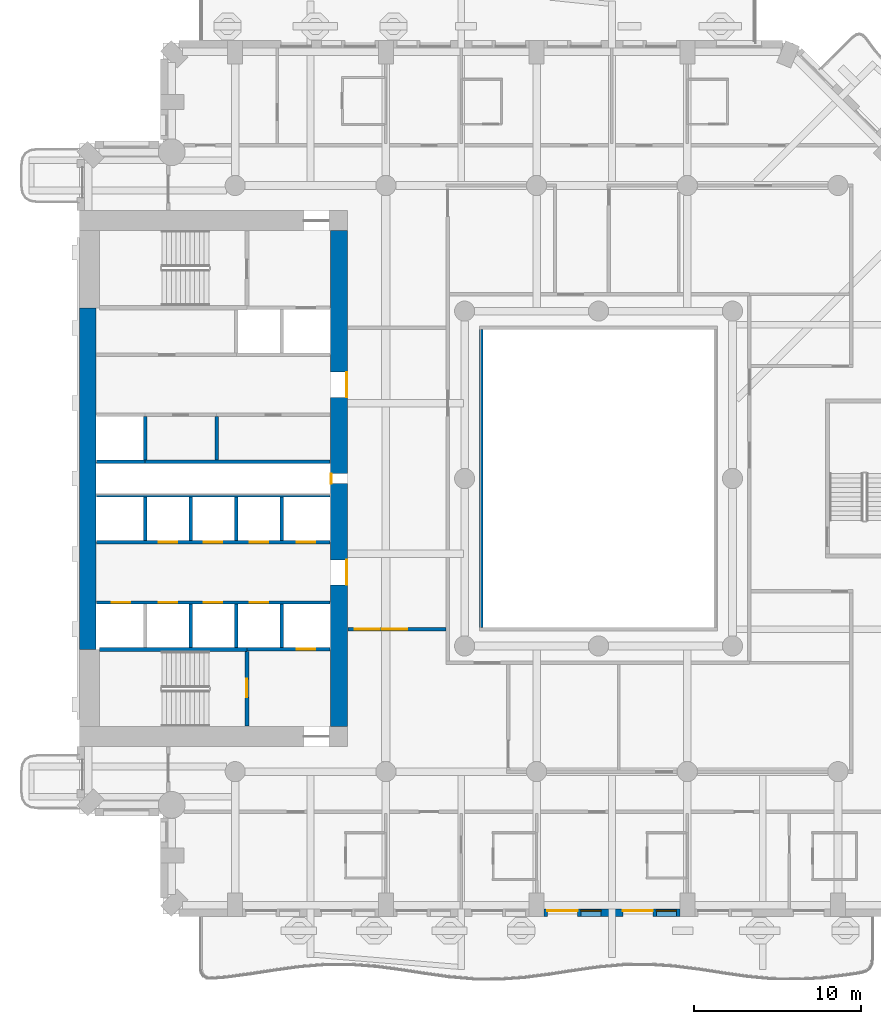
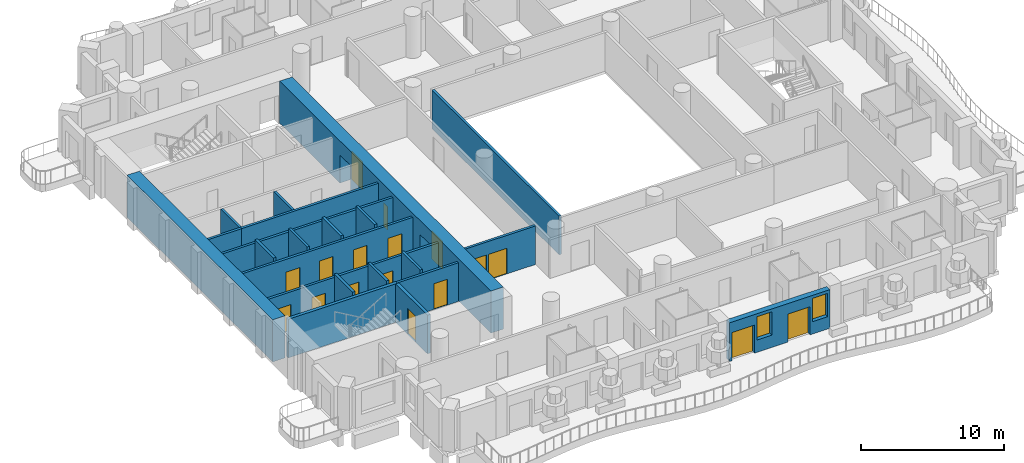
# One storey, part 4 of 19: 22 walls, 17 doors, 2 windows, 19 openings.
"""IFC4 building model written with IfcOpenShell, lengths in metres."""

from ifc_helpers import new_model, si_unit, direction, frame, frame_2d, origin, place, context, subcontext, project, spatial, rectangle, extrude, material, layer, layer_set, type_object, element, fill, save


model = new_model("IFC4")

# Units and contexts
model_context = context("Model", 3, precision=1e-05, world=origin(), true_north=direction((0.0, 1.0)))
body_context = subcontext(model_context, "Body", "Model", "MODEL_VIEW")
ifc_project = project(units=[si_unit("LENGTHUNIT", "METRE"), si_unit("AREAUNIT", "SQUARE_METRE"), si_unit("VOLUMEUNIT", "CUBIC_METRE"), si_unit("PLANEANGLEUNIT", "RADIAN"), si_unit("MASSUNIT", "GRAM", prefix="KILO")], contexts=[model_context])

# Site, building, storey
site_placement = place(None, origin())
site = spatial("IfcSite", under=ifc_project, at=site_placement, CompositionType="ELEMENT")
building_placement = place(site_placement, origin())
building = spatial("IfcBuilding", under=site, at=building_placement, Name="Cypress Arch Tower", CompositionType="ELEMENT")
storey_placement = place(building_placement, frame((0.0, 0.0, 98.699951171875)))
storey = spatial("IfcBuildingStorey", under=building, at=storey_placement, Name="L19", CompositionType="ELEMENT", Elevation=98.699951171875)

# Wall, openings, doors, windows
ifc_material_1 = material(Name="Brick (red buff blend)", Category="masonry")
ifc_layer_1 = layer(ifc_material_1, 0.449951171875)
ifc_layer_set_1 = layer_set([ifc_layer_1], Name="Brick pier and spandrel wall BW450")
wall_type_1 = type_object("IfcWallType", Name="Brick pier and spandrel wall BW450", PredefinedType="SOLIDWALL", material=ifc_layer_set_1)
wall_1_placement = place(storey_placement, frame((-2.25, -25.925048828125, 0.0), z_axis=(0.0, 0.0, 1.0), x_axis=(1.0, 0.0, 0.0)))
wall_1 = element("IfcWall", 1, at=wall_1_placement, inside=storey, type_object=wall_type_1, Name="Brick wall L19 A03.3", PredefinedType="SOLIDWALL", context=body_context, shape_type="SweptSolid", body=[
    extrude(rectangle(XDim=8.10009765625, YDim=0.449951171875, at=frame_2d((4.050048828125, 0.0))), origin(), (0.0, 0.0, 1.0), 3.300048828125),
])
opening_1_placement = place(wall_1_placement, frame((0.199951171875, 0.0, 0.0)))
opening_1 = element("IfcOpeningElement", 2, at=opening_1_placement, cuts=wall_1, Name="Opening D-L19-A03.3.1", PredefinedType="OPENING", context=body_context, shape_type="SweptSolid", body=[
    extrude(rectangle(XDim=1.800048828125, YDim=2.39990234375, at=frame_2d((0.89990234375, 1.199951171875))), frame((0.0, 0.23486328125, 0.0), z_axis=(0.0, -1.0, 0.0), x_axis=(1.0, 0.0, 0.0)), (0.0, 0.0, 1.0), 0.469970703125),
])
opening_2_placement = place(wall_1_placement, frame((2.199951171875, 0.0, 1.050048828125)))
opening_2 = element("IfcOpeningElement", 3, at=opening_2_placement, cuts=wall_1, Name="Opening W120HD", PredefinedType="OPENING", context=body_context, shape_type="SweptSolid", body=[
    extrude(rectangle(XDim=1.199951171875, YDim=2.0, at=frame_2d((0.60009765625, 1.0))), frame((0.0, 0.23486328125, 0.0), z_axis=(0.0, -1.0, 0.0), x_axis=(1.0, 0.0, 0.0)), (0.0, 0.0, 1.0), 0.469970703125),
])
opening_3_placement = place(wall_1_placement, frame((4.699951171875, 0.0, 0.0)))
opening_3 = element("IfcOpeningElement", 4, at=opening_3_placement, cuts=wall_1, Name="Opening D-L19-A03.3.2", PredefinedType="OPENING", context=body_context, shape_type="SweptSolid", body=[
    extrude(rectangle(XDim=1.800048828125, YDim=2.39990234375, at=frame_2d((0.89990234375, 1.199951171875))), frame((0.0, 0.23486328125, 0.0), z_axis=(0.0, -1.0, 0.0), x_axis=(1.0, 0.0, 0.0)), (0.0, 0.0, 1.0), 0.469970703125),
])
opening_4_placement = place(wall_1_placement, frame((6.699951171875, 0.0, 1.050048828125)))
opening_4 = element("IfcOpeningElement", 5, at=opening_4_placement, cuts=wall_1, Name="Opening W120HD", PredefinedType="OPENING", context=body_context, shape_type="SweptSolid", body=[
    extrude(rectangle(XDim=1.199951171875, YDim=2.0, at=frame_2d((0.60009765625, 1.0))), frame((0.0, 0.23486328125, 0.0), z_axis=(0.0, -1.0, 0.0), x_axis=(1.0, 0.0, 0.0)), (0.0, 0.0, 1.0), 0.469970703125),
])
ifc_material_2 = material(Name="Anodised aluminium, bronze finish, laminated low-emissivity double glazing, large-missile impact rated", Category="aluminium")
door_type_1 = type_object("IfcDoorType", Name="Balcony sliding door 1800x2400", OperationType="SLIDING_TO_LEFT", PredefinedType="DOOR", material=ifc_material_2)
door_1_placement = place(opening_1_placement, origin())
door_1 = element("IfcDoor", 6, at=door_1_placement, inside=storey, type_object=door_type_1, Name="Balcony door L19 A03.3.1", OperationType="SLIDING_TO_LEFT", OverallHeight=2.39990234375, OverallWidth=1.800048828125, PredefinedType="DOOR", context=body_context, shape_type="SweptSolid", body=[
    extrude(rectangle(XDim=1.800048828125, YDim=2.39990234375, at=frame_2d((0.89990234375, 1.199951171875))), frame((0.0, 0.1298828125, 0.0), z_axis=(0.0, -1.0, 0.0), x_axis=(1.0, 0.0, 0.0)), (0.0, 0.0, 1.0), 0.050048828125),
])
fill(opening_1, door_1)
door_2_placement = place(opening_3_placement, origin())
door_2 = element("IfcDoor", 7, at=door_2_placement, inside=storey, type_object=door_type_1, Name="Balcony door L19 A03.3.2", OperationType="SLIDING_TO_LEFT", OverallHeight=2.39990234375, OverallWidth=1.800048828125, PredefinedType="DOOR", context=body_context, shape_type="SweptSolid", body=[
    extrude(rectangle(XDim=1.800048828125, YDim=2.39990234375, at=frame_2d((0.89990234375, 1.199951171875))), frame((0.0, 0.1298828125, 0.0), z_axis=(0.0, -1.0, 0.0), x_axis=(1.0, 0.0, 0.0)), (0.0, 0.0, 1.0), 0.050048828125),
])
fill(opening_3, door_2)
ifc_material_3 = material(Name="Anodised aluminium, bronze finish, laminated low-emissivity double glazing, large-missile impact rated", Category="aluminium")
window_type = type_object("IfcWindowType", Name="Window Hotel 1200x2000 debris-rated", PartitioningType="SINGLE_PANEL", PredefinedType="WINDOW", material=ifc_material_3)
window_1_placement = place(opening_2_placement, origin())
window_1 = element("IfcWindow", 8, at=window_1_placement, inside=storey, type_object=window_type, Name="Window L19 A03.3.1", OverallHeight=2.0, OverallWidth=1.199951171875, PartitioningType="SINGLE_PANEL", PredefinedType="WINDOW", context=body_context, shape_type="SweptSolid", body=[
    extrude(rectangle(XDim=1.199951171875, YDim=2.0, at=frame_2d((0.60009765625, 1.0))), frame((0.0, 0.135009765625, 0.0), z_axis=(0.0, -1.0, 0.0), x_axis=(1.0, 0.0, 0.0)), (0.0, 0.0, 1.0), 0.06005859375),
])
fill(opening_2, window_1)
window_2_placement = place(opening_4_placement, origin())
window_2 = element("IfcWindow", 9, at=window_2_placement, inside=storey, type_object=window_type, Name="Window L19 A03.3.2", OverallHeight=2.0, OverallWidth=1.199951171875, PartitioningType="SINGLE_PANEL", PredefinedType="WINDOW", context=body_context, shape_type="SweptSolid", body=[
    extrude(rectangle(XDim=1.199951171875, YDim=2.0, at=frame_2d((0.60009765625, 1.0))), frame((0.0, 0.135009765625, 0.0), z_axis=(0.0, -1.0, 0.0), x_axis=(1.0, 0.0, 0.0)), (0.0, 0.0, 1.0), 0.06005859375),
])
fill(opening_4, window_2)

# Wall, openings, doors
ifc_material_4 = material(Name="Concrete C80/95", Category="concrete")
ifc_layer_2 = layer(ifc_material_4, 1.0)
ifc_layer_set_2 = layer_set([ifc_layer_2], Name="Core wall CW1000 C80/95")
wall_type_2 = type_object("IfcWallType", Name="Core wall CW1000 C80/95", PredefinedType="SHEAR", material=ifc_layer_set_2)
wall_2_placement = place(storey_placement, frame((-14.5, -14.800048828125, 0.0), z_axis=(0.0, 0.0, 1.0), x_axis=(0.0, 1.0, 0.0)))
wall_2 = element("IfcWall", 10, at=wall_2_placement, inside=storey, type_object=wall_type_2, Name="Core wall", PredefinedType="SHEAR", context=body_context, shape_type="SweptSolid", body=[
    extrude(rectangle(XDim=29.60009765625, YDim=1.0, at=frame_2d((14.800048828125, 0.0))), origin(), (0.0, 0.0, 1.0), 3.60009765625),
])
opening_5_placement = place(wall_2_placement, frame((8.449951171875, 0.0, 0.0)))
opening_5 = element("IfcOpeningElement", 11, at=opening_5_placement, cuts=wall_2, Name="Opening D07", PredefinedType="OPENING", context=body_context, shape_type="SweptSolid", body=[
    extrude(rectangle(XDim=1.5, YDim=2.39990234375, at=frame_2d((0.75, 1.199951171875))), frame((0.0, 0.510009765625, 0.0), z_axis=(0.0, -1.0, 0.0), x_axis=(1.0, 0.0, 0.0)), (0.0, 0.0, 1.0), 1.02001953125),
])
opening_6_placement = place(wall_2_placement, frame((19.64990234375, 0.0, 0.0)))
opening_6 = element("IfcOpeningElement", 12, at=opening_6_placement, cuts=wall_2, Name="Opening D07", PredefinedType="OPENING", context=body_context, shape_type="SweptSolid", body=[
    extrude(rectangle(XDim=1.5, YDim=2.39990234375, at=frame_2d((0.75, 1.199951171875))), frame((0.0, 0.510009765625, 0.0), z_axis=(0.0, -1.0, 0.0), x_axis=(1.0, 0.0, 0.0)), (0.0, 0.0, 1.0), 1.02001953125),
])
opening_7_placement = place(wall_2_placement, frame((14.5, 0.0, 0.0)))
opening_7 = element("IfcOpeningElement", 13, at=opening_7_placement, cuts=wall_2, Name="Opening D08", PredefinedType="OPENING", context=body_context, shape_type="SweptSolid", body=[
    extrude(rectangle(XDim=0.60009765625, YDim=2.0, at=frame_2d((0.300048828125, 1.0))), frame((0.0, 0.510009765625, 0.0), z_axis=(0.0, -1.0, 0.0), x_axis=(1.0, 0.0, 0.0)), (0.0, 0.0, 1.0), 1.02001953125),
])
ifc_material_5 = material(Name="Steel framed glazed door, fire resisting", Category="steel")
door_type_2 = type_object("IfcDoorType", Name="Lobby door D07 1500x2400", OperationType="DOUBLE_DOOR_SINGLE_SWING", PredefinedType="DOOR", material=ifc_material_5)
door_3_placement = place(opening_5_placement, origin())
door_3 = element("IfcDoor", 14, at=door_3_placement, inside=storey, type_object=door_type_2, Name="Lobby door", OperationType="DOUBLE_DOOR_SINGLE_SWING", OverallHeight=2.39990234375, OverallWidth=1.5, PredefinedType="DOOR", context=body_context, shape_type="SweptSolid", body=[
    extrude(rectangle(XDim=1.5, YDim=2.39990234375, at=frame_2d((0.75, 1.199951171875))), frame((0.0, -0.44482421875, 0.0), z_axis=(0.0, -1.0, 0.0), x_axis=(1.0, 0.0, 0.0)), (0.0, 0.0, 1.0), 0.050048828125),
])
fill(opening_5, door_3)
door_4_placement = place(opening_6_placement, origin())
door_4 = element("IfcDoor", 15, at=door_4_placement, inside=storey, type_object=door_type_2, Name="Lobby door", OperationType="DOUBLE_DOOR_SINGLE_SWING", OverallHeight=2.39990234375, OverallWidth=1.5, PredefinedType="DOOR", context=body_context, shape_type="SweptSolid", body=[
    extrude(rectangle(XDim=1.5, YDim=2.39990234375, at=frame_2d((0.75, 1.199951171875))), frame((0.0, -0.44482421875, 0.0), z_axis=(0.0, -1.0, 0.0), x_axis=(1.0, 0.0, 0.0)), (0.0, 0.0, 1.0), 0.050048828125),
])
fill(opening_6, door_4)
ifc_material_6 = material(Name="Steel access door, fire resisting", Category="steel")
door_type_3 = type_object("IfcDoorType", Name="Riser access door D08 600x2000", OperationType="SINGLE_SWING_LEFT", PredefinedType="DOOR", material=ifc_material_6)
door_5_placement = place(opening_7_placement, origin())
door_5 = element("IfcDoor", 16, at=door_5_placement, inside=storey, type_object=door_type_3, Name="Riser access door", OperationType="SINGLE_SWING_RIGHT", OverallHeight=2.0, OverallWidth=0.60009765625, PredefinedType="DOOR", context=body_context, shape_type="SweptSolid", body=[
    extrude(rectangle(XDim=0.60009765625, YDim=2.0, at=frame_2d((0.300048828125, 1.0))), frame((0.0, 0.4951171875, 0.0), z_axis=(0.0, -1.0, 0.0), x_axis=(1.0, 0.0, 0.0)), (0.0, 0.0, 1.0), 0.050048828125),
])
fill(opening_7, door_5)

# Wall
wall_3_placement = place(storey_placement, frame((-29.5, -10.199951171875, 0.0), z_axis=(0.0, 0.0, 1.0), x_axis=(0.0, 1.0, 0.0)))
element("IfcWall", 17, at=wall_3_placement, inside=storey, type_object=wall_type_2, Name="Core wall", PredefinedType="SHEAR", context=body_context, shape_type="SweptSolid", body=[
    extrude(rectangle(XDim=20.39990234375, YDim=1.0, at=frame_2d((10.199951171875, 0.0))), origin(), (0.0, 0.0, 1.0), 3.60009765625),
])

# Wall, openings, doors
ifc_material_7 = material(Name="Concrete blockwork, plastered, rated", Category="masonry")
ifc_layer_3 = layer(ifc_material_7, 0.199951171875)
ifc_layer_set_3 = layer_set([ifc_layer_3], Name="Corridor wall FW200")
wall_type_3 = type_object("IfcWallType", Name="Corridor wall FW200", PredefinedType="PARTITIONING", material=ifc_layer_set_3)
wall_4_placement = place(storey_placement, frame((-13.969970703125, -9.0, 0.0), z_axis=(0.0, 0.0, 1.0), x_axis=(1.0, 0.0, 0.0)))
wall_4 = element("IfcWall", 18, at=wall_4_placement, inside=storey, type_object=wall_type_3, Name="Corridor wall", PredefinedType="PARTITIONING", context=body_context, shape_type="SweptSolid", body=[
    extrude(rectangle(XDim=5.869873046875, YDim=0.199951171875, at=frame_2d((2.93505859375, 0.0))), origin(), (0.0, 0.0, 1.0), 3.300048828125),
])
opening_8_placement = place(wall_4_placement, frame((0.39990234375, 0.0, 0.0)))
opening_8 = element("IfcOpeningElement", 19, at=opening_8_placement, cuts=wall_4, Name="Opening D04", PredefinedType="OPENING", context=body_context, shape_type="SweptSolid", body=[
    extrude(rectangle(XDim=1.5, YDim=2.199951171875, at=frame_2d((0.75, 1.10009765625))), frame((0.0, 0.10986328125, 0.0), z_axis=(0.0, -1.0, 0.0), x_axis=(1.0, 0.0, 0.0)), (0.0, 0.0, 1.0), 0.219970703125),
])
opening_9_placement = place(wall_4_placement, frame((2.050048828125, 0.0, 0.0)))
opening_9 = element("IfcOpeningElement", 20, at=opening_9_placement, cuts=wall_4, Name="Opening D04", PredefinedType="OPENING", context=body_context, shape_type="SweptSolid", body=[
    extrude(rectangle(XDim=1.5, YDim=2.199951171875, at=frame_2d((0.75, 1.10009765625))), frame((0.0, 0.10986328125, 0.0), z_axis=(0.0, -1.0, 0.0), x_axis=(1.0, 0.0, 0.0)), (0.0, 0.0, 1.0), 0.219970703125),
])
ifc_material_8 = material(Name="Timber double door", Category="wood")
door_type_4 = type_object("IfcDoorType", Name="Double door D04 1500x2200", OperationType="DOUBLE_DOOR_SINGLE_SWING", PredefinedType="DOOR", material=ifc_material_8)
door_6_placement = place(opening_8_placement, origin())
door_6 = element("IfcDoor", 21, at=door_6_placement, inside=storey, type_object=door_type_4, Name="Double door", OperationType="DOUBLE_DOOR_SINGLE_SWING", OverallHeight=2.199951171875, OverallWidth=1.5, PredefinedType="DOOR", context=body_context, shape_type="SweptSolid", body=[
    extrude(rectangle(XDim=1.5, YDim=2.199951171875, at=frame_2d((0.75, 1.10009765625))), frame((0.0, 0.02490234375, 0.0), z_axis=(0.0, -1.0, 0.0), x_axis=(1.0, 0.0, 0.0)), (0.0, 0.0, 1.0), 0.050048828125),
])
fill(opening_8, door_6)
door_7_placement = place(opening_9_placement, origin())
door_7 = element("IfcDoor", 22, at=door_7_placement, inside=storey, type_object=door_type_4, Name="Double door", OperationType="DOUBLE_DOOR_SINGLE_SWING", OverallHeight=2.199951171875, OverallWidth=1.5, PredefinedType="DOOR", context=body_context, shape_type="SweptSolid", body=[
    extrude(rectangle(XDim=1.5, YDim=2.199951171875, at=frame_2d((0.75, 1.10009765625))), frame((0.0, 0.02490234375, 0.0), z_axis=(0.0, -1.0, 0.0), x_axis=(1.0, 0.0, 0.0)), (0.0, 0.0, 1.0), 0.050048828125),
])
fill(opening_9, door_7)

# Walls
wall_5_placement = place(storey_placement, frame((-6.0, -8.89990234375, 0.0), z_axis=(0.0, 0.0, 1.0), x_axis=(0.0, 1.0, 0.0)))
element("IfcWall", 23, at=wall_5_placement, inside=storey, type_object=wall_type_3, Name="Corridor wall", PredefinedType="PARTITIONING", context=body_context, shape_type="SweptSolid", body=[
    extrude(rectangle(XDim=17.7998046875, YDim=0.199951171875, at=frame_2d((8.89990234375, 0.0))), origin(), (0.0, 0.0, 1.0), 3.300048828125),
])
ifc_material_9 = material(Name="Reinforced blockwork, plastered, rated", Category="masonry")
ifc_layer_4 = layer(ifc_material_9, 0.199951171875)
ifc_layer_set_4 = layer_set([ifc_layer_4], Name="Plant and riser wall PL200")
wall_type_4 = type_object("IfcWallType", Name="Plant and riser wall PL200", PredefinedType="PARTITIONING", material=ifc_layer_set_4)
wall_6_placement = place(storey_placement, frame((-26.10009765625, 1.0, 0.0), z_axis=(0.0, 0.0, 1.0), x_axis=(1.0, 0.0, 0.0)))
element("IfcWall", 24, at=wall_6_placement, inside=storey, type_object=wall_type_4, Name="Plant and riser wall", PredefinedType="PARTITIONING", context=body_context, shape_type="SweptSolid", body=[
    extrude(rectangle(XDim=11.070068359375, YDim=0.199951171875, at=frame_2d((5.53515625, 0.0))), origin(), (0.0, 0.0, 1.0), 3.300048828125),
])
wall_7_placement = place(storey_placement, frame((-21.800048828125, 1.10009765625, 0.0), z_axis=(0.0, 0.0, 1.0), x_axis=(0.0, 1.0, 0.0)))
element("IfcWall", 25, at=wall_7_placement, inside=storey, type_object=wall_type_4, Name="Plant and riser wall", PredefinedType="PARTITIONING", context=body_context, shape_type="SweptSolid", body=[
    extrude(rectangle(XDim=2.599853515625, YDim=0.199951171875, at=frame_2d((1.2998046875, 0.0))), origin(), (0.0, 0.0, 1.0), 3.300048828125),
])

# Wall, openings, doors
ifc_material_10 = material(Name="Concrete C50/60", Category="concrete")
ifc_layer_5 = layer(ifc_material_10, 0.199951171875)
ifc_layer_set_5 = layer_set([ifc_layer_5], Name="Shaft wall SH200")
wall_type_5 = type_object("IfcWallType", Name="Shaft wall SH200", PredefinedType="SHEAR", material=ifc_layer_set_5)
wall_8_placement = place(storey_placement, frame((-28.969970703125, -7.39990234375, 0.0), z_axis=(0.0, 0.0, 1.0), x_axis=(1.0, 0.0, 0.0)))
wall_8 = element("IfcWall", 26, at=wall_8_placement, inside=storey, type_object=wall_type_5, Name="Shaft wall", PredefinedType="SHEAR", context=body_context, shape_type="SweptSolid", body=[
    extrude(rectangle(XDim=13.93994140625, YDim=0.199951171875, at=frame_2d((6.969970703125, 0.0))), origin(), (0.0, 0.0, 1.0), 3.300048828125),
])
opening_10_placement = place(wall_8_placement, frame((0.89990234375, 0.0, 0.0)))
opening_10 = element("IfcOpeningElement", 27, at=opening_10_placement, cuts=wall_8, Name="Opening LD-LR1", PredefinedType="OPENING", context=body_context, shape_type="SweptSolid", body=[
    extrude(rectangle(XDim=1.10009765625, YDim=2.199951171875, at=frame_2d((0.550048828125, 1.10009765625))), frame((0.0, 0.10986328125, 0.0), z_axis=(0.0, -1.0, 0.0), x_axis=(1.0, 0.0, 0.0)), (0.0, 0.0, 1.0), 0.219970703125),
])
opening_11_placement = place(wall_8_placement, frame((3.699951171875, 0.0, 0.0)))
opening_11 = element("IfcOpeningElement", 28, at=opening_11_placement, cuts=wall_8, Name="Opening LD-LR2", PredefinedType="OPENING", context=body_context, shape_type="SweptSolid", body=[
    extrude(rectangle(XDim=1.10009765625, YDim=2.199951171875, at=frame_2d((0.550048828125, 1.10009765625))), frame((0.0, 0.10986328125, 0.0), z_axis=(0.0, -1.0, 0.0), x_axis=(1.0, 0.0, 0.0)), (0.0, 0.0, 1.0), 0.219970703125),
])
opening_12_placement = place(wall_8_placement, frame((6.39990234375, 0.0, 0.0)))
opening_12 = element("IfcOpeningElement", 29, at=opening_12_placement, cuts=wall_8, Name="Opening LD-LR3", PredefinedType="OPENING", context=body_context, shape_type="SweptSolid", body=[
    extrude(rectangle(XDim=1.10009765625, YDim=2.199951171875, at=frame_2d((0.550048828125, 1.10009765625))), frame((0.0, 0.10986328125, 0.0), z_axis=(0.0, -1.0, 0.0), x_axis=(1.0, 0.0, 0.0)), (0.0, 0.0, 1.0), 0.219970703125),
])
opening_13_placement = place(wall_8_placement, frame((9.14990234375, 0.0, 0.0)))
opening_13 = element("IfcOpeningElement", 30, at=opening_13_placement, cuts=wall_8, Name="Opening LD-LR4", PredefinedType="OPENING", context=body_context, shape_type="SweptSolid", body=[
    extrude(rectangle(XDim=1.10009765625, YDim=2.199951171875, at=frame_2d((0.550048828125, 1.10009765625))), frame((0.0, 0.10986328125, 0.0), z_axis=(0.0, -1.0, 0.0), x_axis=(1.0, 0.0, 0.0)), (0.0, 0.0, 1.0), 0.219970703125),
])
ifc_material_11 = material(Name="Stainless steel centre-opening landing door, rated", Category="steel")
door_type_5 = type_object("IfcDoorType", Name="Lift landing door LD 1100x2200", OperationType="DOUBLE_DOOR_SLIDING", PredefinedType="DOOR", material=ifc_material_11)
door_8_placement = place(opening_10_placement, origin())
door_8 = element("IfcDoor", 31, at=door_8_placement, inside=storey, type_object=door_type_5, Name="Lift landing doors LR1", OperationType="DOUBLE_DOOR_SLIDING", OverallHeight=2.199951171875, OverallWidth=1.10009765625, PredefinedType="DOOR", context=body_context, shape_type="SweptSolid", body=[
    extrude(rectangle(XDim=1.10009765625, YDim=2.199951171875, at=frame_2d((0.550048828125, 1.10009765625))), frame((0.0, 0.02490234375, 0.0), z_axis=(0.0, -1.0, 0.0), x_axis=(1.0, 0.0, 0.0)), (0.0, 0.0, 1.0), 0.050048828125),
])
fill(opening_10, door_8)
door_9_placement = place(opening_11_placement, origin())
door_9 = element("IfcDoor", 32, at=door_9_placement, inside=storey, type_object=door_type_5, Name="Lift landing doors LR2", OperationType="DOUBLE_DOOR_SLIDING", OverallHeight=2.199951171875, OverallWidth=1.10009765625, PredefinedType="DOOR", context=body_context, shape_type="SweptSolid", body=[
    extrude(rectangle(XDim=1.10009765625, YDim=2.199951171875, at=frame_2d((0.550048828125, 1.10009765625))), frame((0.0, 0.02490234375, 0.0), z_axis=(0.0, -1.0, 0.0), x_axis=(1.0, 0.0, 0.0)), (0.0, 0.0, 1.0), 0.050048828125),
])
fill(opening_11, door_9)
door_10_placement = place(opening_12_placement, origin())
door_10 = element("IfcDoor", 33, at=door_10_placement, inside=storey, type_object=door_type_5, Name="Lift landing doors LR3", OperationType="DOUBLE_DOOR_SLIDING", OverallHeight=2.199951171875, OverallWidth=1.10009765625, PredefinedType="DOOR", context=body_context, shape_type="SweptSolid", body=[
    extrude(rectangle(XDim=1.10009765625, YDim=2.199951171875, at=frame_2d((0.550048828125, 1.10009765625))), frame((0.0, 0.02490234375, 0.0), z_axis=(0.0, -1.0, 0.0), x_axis=(1.0, 0.0, 0.0)), (0.0, 0.0, 1.0), 0.050048828125),
])
fill(opening_12, door_10)
door_11_placement = place(opening_13_placement, origin())
door_11 = element("IfcDoor", 34, at=door_11_placement, inside=storey, type_object=door_type_5, Name="Lift landing doors LR4", OperationType="DOUBLE_DOOR_SLIDING", OverallHeight=2.199951171875, OverallWidth=1.10009765625, PredefinedType="DOOR", context=body_context, shape_type="SweptSolid", body=[
    extrude(rectangle(XDim=1.10009765625, YDim=2.199951171875, at=frame_2d((0.550048828125, 1.10009765625))), frame((0.0, 0.02490234375, 0.0), z_axis=(0.0, -1.0, 0.0), x_axis=(1.0, 0.0, 0.0)), (0.0, 0.0, 1.0), 0.050048828125),
])
fill(opening_13, door_11)

wall_9_placement = place(storey_placement, frame((-28.969970703125, -3.800048828125, 0.0), z_axis=(0.0, 0.0, 1.0), x_axis=(1.0, 0.0, 0.0)))
wall_9 = element("IfcWall", 35, at=wall_9_placement, inside=storey, type_object=wall_type_5, Name="Shaft wall", PredefinedType="SHEAR", context=body_context, shape_type="SweptSolid", body=[
    extrude(rectangle(XDim=13.93994140625, YDim=0.199951171875, at=frame_2d((6.969970703125, 0.0))), origin(), (0.0, 0.0, 1.0), 3.300048828125),
])
opening_14_placement = place(wall_9_placement, frame((3.699951171875, 0.0, 0.0)))
opening_14 = element("IfcOpeningElement", 36, at=opening_14_placement, cuts=wall_9, Name="Opening LD-LR5", PredefinedType="OPENING", context=body_context, shape_type="SweptSolid", body=[
    extrude(rectangle(XDim=1.10009765625, YDim=2.199951171875, at=frame_2d((0.550048828125, 1.10009765625))), frame((0.0, 0.10986328125, 0.0), z_axis=(0.0, -1.0, 0.0), x_axis=(1.0, 0.0, 0.0)), (0.0, 0.0, 1.0), 0.219970703125),
])
opening_15_placement = place(wall_9_placement, frame((6.39990234375, 0.0, 0.0)))
opening_15 = element("IfcOpeningElement", 37, at=opening_15_placement, cuts=wall_9, Name="Opening LD-LR6", PredefinedType="OPENING", context=body_context, shape_type="SweptSolid", body=[
    extrude(rectangle(XDim=1.10009765625, YDim=2.199951171875, at=frame_2d((0.550048828125, 1.10009765625))), frame((0.0, 0.10986328125, 0.0), z_axis=(0.0, -1.0, 0.0), x_axis=(1.0, 0.0, 0.0)), (0.0, 0.0, 1.0), 0.219970703125),
])
opening_16_placement = place(wall_9_placement, frame((9.14990234375, 0.0, 0.0)))
opening_16 = element("IfcOpeningElement", 38, at=opening_16_placement, cuts=wall_9, Name="Opening LD-LR7", PredefinedType="OPENING", context=body_context, shape_type="SweptSolid", body=[
    extrude(rectangle(XDim=1.10009765625, YDim=2.199951171875, at=frame_2d((0.550048828125, 1.10009765625))), frame((0.0, 0.10986328125, 0.0), z_axis=(0.0, -1.0, 0.0), x_axis=(1.0, 0.0, 0.0)), (0.0, 0.0, 1.0), 0.219970703125),
])
opening_17_placement = place(wall_9_placement, frame((11.949951171875, 0.0, 0.0)))
opening_17 = element("IfcOpeningElement", 39, at=opening_17_placement, cuts=wall_9, Name="Opening LD-LR8", PredefinedType="OPENING", context=body_context, shape_type="SweptSolid", body=[
    extrude(rectangle(XDim=1.10009765625, YDim=2.199951171875, at=frame_2d((0.550048828125, 1.10009765625))), frame((0.0, 0.10986328125, 0.0), z_axis=(0.0, -1.0, 0.0), x_axis=(1.0, 0.0, 0.0)), (0.0, 0.0, 1.0), 0.219970703125),
])
door_12_placement = place(opening_14_placement, origin())
door_12 = element("IfcDoor", 40, at=door_12_placement, inside=storey, type_object=door_type_5, Name="Lift landing doors LR5", OperationType="DOUBLE_DOOR_SLIDING", OverallHeight=2.199951171875, OverallWidth=1.10009765625, PredefinedType="DOOR", context=body_context, shape_type="SweptSolid", body=[
    extrude(rectangle(XDim=1.10009765625, YDim=2.199951171875, at=frame_2d((0.550048828125, 1.10009765625))), frame((0.0, 0.02490234375, 0.0), z_axis=(0.0, -1.0, 0.0), x_axis=(1.0, 0.0, 0.0)), (0.0, 0.0, 1.0), 0.050048828125),
])
fill(opening_14, door_12)
door_13_placement = place(opening_15_placement, origin())
door_13 = element("IfcDoor", 41, at=door_13_placement, inside=storey, type_object=door_type_5, Name="Lift landing doors LR6", OperationType="DOUBLE_DOOR_SLIDING", OverallHeight=2.199951171875, OverallWidth=1.10009765625, PredefinedType="DOOR", context=body_context, shape_type="SweptSolid", body=[
    extrude(rectangle(XDim=1.10009765625, YDim=2.199951171875, at=frame_2d((0.550048828125, 1.10009765625))), frame((0.0, 0.02490234375, 0.0), z_axis=(0.0, -1.0, 0.0), x_axis=(1.0, 0.0, 0.0)), (0.0, 0.0, 1.0), 0.050048828125),
])
fill(opening_15, door_13)
door_14_placement = place(opening_16_placement, origin())
door_14 = element("IfcDoor", 42, at=door_14_placement, inside=storey, type_object=door_type_5, Name="Lift landing doors LR7", OperationType="DOUBLE_DOOR_SLIDING", OverallHeight=2.199951171875, OverallWidth=1.10009765625, PredefinedType="DOOR", context=body_context, shape_type="SweptSolid", body=[
    extrude(rectangle(XDim=1.10009765625, YDim=2.199951171875, at=frame_2d((0.550048828125, 1.10009765625))), frame((0.0, 0.02490234375, 0.0), z_axis=(0.0, -1.0, 0.0), x_axis=(1.0, 0.0, 0.0)), (0.0, 0.0, 1.0), 0.050048828125),
])
fill(opening_16, door_14)
door_15_placement = place(opening_17_placement, origin())
door_15 = element("IfcDoor", 43, at=door_15_placement, inside=storey, type_object=door_type_5, Name="Lift landing doors LR8", OperationType="DOUBLE_DOOR_SLIDING", OverallHeight=2.199951171875, OverallWidth=1.10009765625, PredefinedType="DOOR", context=body_context, shape_type="SweptSolid", body=[
    extrude(rectangle(XDim=1.10009765625, YDim=2.199951171875, at=frame_2d((0.550048828125, 1.10009765625))), frame((0.0, 0.02490234375, 0.0), z_axis=(0.0, -1.0, 0.0), x_axis=(1.0, 0.0, 0.0)), (0.0, 0.0, 1.0), 0.050048828125),
])
fill(opening_17, door_15)

# Walls
wall_10_placement = place(storey_placement, frame((-28.969970703125, -1.0, 0.0), z_axis=(0.0, 0.0, 1.0), x_axis=(1.0, 0.0, 0.0)))
element("IfcWall", 44, at=wall_10_placement, inside=storey, type_object=wall_type_5, Name="Shaft wall", PredefinedType="SHEAR", context=body_context, shape_type="SweptSolid", body=[
    extrude(rectangle(XDim=13.93994140625, YDim=0.199951171875, at=frame_2d((6.969970703125, 0.0))), origin(), (0.0, 0.0, 1.0), 3.300048828125),
])
wall_11_placement = place(storey_placement, frame((-28.969970703125, 1.0, 0.0), z_axis=(0.0, 0.0, 1.0), x_axis=(1.0, 0.0, 0.0)))
element("IfcWall", 45, at=wall_11_placement, inside=storey, type_object=wall_type_5, Name="Shaft wall", PredefinedType="SHEAR", context=body_context, shape_type="SweptSolid", body=[
    extrude(rectangle(XDim=2.869873046875, YDim=0.199951171875, at=frame_2d((1.43505859375, 0.0))), origin(), (0.0, 0.0, 1.0), 3.300048828125),
])
wall_12_placement = place(storey_placement, frame((-26.080078125, -3.699951171875, 0.0), z_axis=(0.0, 0.0, 1.0), x_axis=(0.0, 1.0, 0.0)))
element("IfcWall", 46, at=wall_12_placement, inside=storey, type_object=wall_type_5, Name="Shaft wall", PredefinedType="SHEAR", context=body_context, shape_type="SweptSolid", body=[
    extrude(rectangle(XDim=2.599853515625, YDim=0.199951171875, at=frame_2d((1.2998046875, 0.0))), origin(), (0.0, 0.0, 1.0), 3.60009765625),
])
wall_13_placement = place(storey_placement, frame((-26.080078125, 1.10009765625, 0.0), z_axis=(0.0, 0.0, 1.0), x_axis=(0.0, 1.0, 0.0)))
element("IfcWall", 47, at=wall_13_placement, inside=storey, type_object=wall_type_5, Name="Shaft wall", PredefinedType="SHEAR", context=body_context, shape_type="SweptSolid", body=[
    extrude(rectangle(XDim=2.599853515625, YDim=0.199951171875, at=frame_2d((1.2998046875, 0.0))), origin(), (0.0, 0.0, 1.0), 3.300048828125),
])
wall_14_placement = place(storey_placement, frame((-23.360107421875, -10.074951171875, 0.0), z_axis=(0.0, 0.0, 1.0), x_axis=(0.0, 1.0, 0.0)))
element("IfcWall", 48, at=wall_14_placement, inside=storey, type_object=wall_type_5, Name="Shaft wall", PredefinedType="SHEAR", context=body_context, shape_type="SweptSolid", body=[
    extrude(rectangle(XDim=2.574951171875, YDim=0.199951171875, at=frame_2d((1.28759765625, 0.0))), origin(), (0.0, 0.0, 1.0), 3.60009765625),
])
wall_15_placement = place(storey_placement, frame((-23.360107421875, -3.699951171875, 0.0), z_axis=(0.0, 0.0, 1.0), x_axis=(0.0, 1.0, 0.0)))
element("IfcWall", 49, at=wall_15_placement, inside=storey, type_object=wall_type_5, Name="Shaft wall", PredefinedType="SHEAR", context=body_context, shape_type="SweptSolid", body=[
    extrude(rectangle(XDim=2.599853515625, YDim=0.199951171875, at=frame_2d((1.2998046875, 0.0))), origin(), (0.0, 0.0, 1.0), 3.60009765625),
])
wall_16_placement = place(storey_placement, frame((-20.639892578125, -10.074951171875, 0.0), z_axis=(0.0, 0.0, 1.0), x_axis=(0.0, 1.0, 0.0)))
element("IfcWall", 50, at=wall_16_placement, inside=storey, type_object=wall_type_5, Name="Shaft wall", PredefinedType="SHEAR", context=body_context, shape_type="SweptSolid", body=[
    extrude(rectangle(XDim=2.574951171875, YDim=0.199951171875, at=frame_2d((1.28759765625, 0.0))), origin(), (0.0, 0.0, 1.0), 3.60009765625),
])
wall_17_placement = place(storey_placement, frame((-20.639892578125, -3.699951171875, 0.0), z_axis=(0.0, 0.0, 1.0), x_axis=(0.0, 1.0, 0.0)))
element("IfcWall", 51, at=wall_17_placement, inside=storey, type_object=wall_type_5, Name="Shaft wall", PredefinedType="SHEAR", context=body_context, shape_type="SweptSolid", body=[
    extrude(rectangle(XDim=2.599853515625, YDim=0.199951171875, at=frame_2d((1.2998046875, 0.0))), origin(), (0.0, 0.0, 1.0), 3.60009765625),
])

# Wall, opening, door
wall_18_placement = place(storey_placement, frame((-19.97998046875, -10.199951171875, 0.0), z_axis=(0.0, 0.0, 1.0), x_axis=(1.0, 0.0, 0.0)))
wall_18 = element("IfcWall", 52, at=wall_18_placement, inside=storey, type_object=wall_type_5, Name="Shaft wall", PredefinedType="SHEAR", context=body_context, shape_type="SweptSolid", body=[
    extrude(rectangle(XDim=4.949951171875, YDim=0.199951171875, at=frame_2d((2.47509765625, 0.0))), origin(), (0.0, 0.0, 1.0), 3.300048828125),
])
opening_18_placement = place(wall_18_placement, frame((2.949951171875, 0.0, 0.0)))
opening_18 = element("IfcOpeningElement", 53, at=opening_18_placement, cuts=wall_18, Name="Opening LD-FL1", PredefinedType="OPENING", context=body_context, shape_type="SweptSolid", body=[
    extrude(rectangle(XDim=1.10009765625, YDim=2.199951171875, at=frame_2d((0.550048828125, 1.10009765625))), frame((0.0, 0.10986328125, 0.0), z_axis=(0.0, -1.0, 0.0), x_axis=(1.0, 0.0, 0.0)), (0.0, 0.0, 1.0), 0.219970703125),
])
door_16_placement = place(opening_18_placement, origin())
door_16 = element("IfcDoor", 54, at=door_16_placement, inside=storey, type_object=door_type_5, Name="Lift landing doors FL1", OperationType="DOUBLE_DOOR_SLIDING", OverallHeight=2.199951171875, OverallWidth=1.10009765625, PredefinedType="DOOR", context=body_context, shape_type="SweptSolid", body=[
    extrude(rectangle(XDim=1.10009765625, YDim=2.199951171875, at=frame_2d((0.550048828125, 1.10009765625))), frame((0.0, 0.02490234375, 0.0), z_axis=(0.0, -1.0, 0.0), x_axis=(1.0, 0.0, 0.0)), (0.0, 0.0, 1.0), 0.050048828125),
])
fill(opening_18, door_16)

# Walls
wall_19_placement = place(storey_placement, frame((-17.919921875, -10.10009765625, 0.0), z_axis=(0.0, 0.0, 1.0), x_axis=(0.0, 1.0, 0.0)))
element("IfcWall", 55, at=wall_19_placement, inside=storey, type_object=wall_type_5, Name="Shaft wall", PredefinedType="SHEAR", context=body_context, shape_type="SweptSolid", body=[
    extrude(rectangle(XDim=2.60009765625, YDim=0.199951171875, at=frame_2d((1.300048828125, 0.0))), origin(), (0.0, 0.0, 1.0), 3.60009765625),
])
wall_20_placement = place(storey_placement, frame((-17.919921875, -3.699951171875, 0.0), z_axis=(0.0, 0.0, 1.0), x_axis=(0.0, 1.0, 0.0)))
element("IfcWall", 56, at=wall_20_placement, inside=storey, type_object=wall_type_5, Name="Shaft wall", PredefinedType="SHEAR", context=body_context, shape_type="SweptSolid", body=[
    extrude(rectangle(XDim=2.599853515625, YDim=0.199951171875, at=frame_2d((1.2998046875, 0.0))), origin(), (0.0, 0.0, 1.0), 3.60009765625),
])
ifc_material_12 = material(Name="Concrete C50/60", Category="concrete")
ifc_layer_6 = layer(ifc_material_12, 0.25)
ifc_layer_set_6 = layer_set([ifc_layer_6], Name="Stair enclosure wall SW250")
wall_type_6 = type_object("IfcWallType", Name="Stair enclosure wall SW250", PredefinedType="SHEAR", material=ifc_layer_set_6)
wall_21_placement = place(storey_placement, frame((-28.81005859375, -10.199951171875, 0.0), z_axis=(0.0, 0.0, 1.0), x_axis=(1.0, 0.0, 0.0)))
element("IfcWall", 57, at=wall_21_placement, inside=storey, type_object=wall_type_6, Name="Stair enclosure wall", PredefinedType="SHEAR", context=body_context, shape_type="SweptSolid", body=[
    extrude(rectangle(XDim=8.830078125, YDim=0.25, at=frame_2d((4.4150390625, 0.0))), origin(), (0.0, 0.0, 1.0), 3.300048828125),
])

# Wall, opening, door
wall_22_placement = place(storey_placement, frame((-20.0, -14.77001953125, 0.0), z_axis=(0.0, 0.0, 1.0), x_axis=(0.0, 1.0, 0.0)))
wall_22 = element("IfcWall", 58, at=wall_22_placement, inside=storey, type_object=wall_type_6, Name="Stair enclosure wall", PredefinedType="SHEAR", context=body_context, shape_type="SweptSolid", body=[
    extrude(rectangle(XDim=4.445068359375, YDim=0.25, at=frame_2d((2.22265625, 0.0))), origin(), (0.0, 0.0, 1.0), 3.300048828125),
])
opening_19_placement = place(wall_22_placement, frame((1.699951171875, 0.0, 0.0)))
opening_19 = element("IfcOpeningElement", 59, at=opening_19_placement, cuts=wall_22, Name="Opening D06", PredefinedType="OPENING", context=body_context, shape_type="SweptSolid", body=[
    extrude(rectangle(XDim=1.10009765625, YDim=2.199951171875, at=frame_2d((0.550048828125, 1.10009765625))), frame((0.0, 0.135009765625, 0.0), z_axis=(0.0, -1.0, 0.0), x_axis=(1.0, 0.0, 0.0)), (0.0, 0.0, 1.0), 0.27001953125),
])
ifc_material_13 = material(Name="Steel door, fire resisting, panic bar", Category="steel")
door_type_6 = type_object("IfcDoorType", Name="Stair door D06 1100x2200", OperationType="SINGLE_SWING_LEFT", PredefinedType="DOOR", material=ifc_material_13)
door_17_placement = place(opening_19_placement, origin())
door_17 = element("IfcDoor", 60, at=door_17_placement, inside=storey, type_object=door_type_6, Name="Stair door", OperationType="SINGLE_SWING_RIGHT", OverallHeight=2.199951171875, OverallWidth=1.10009765625, PredefinedType="DOOR", context=body_context, shape_type="SweptSolid", body=[
    extrude(rectangle(XDim=1.10009765625, YDim=2.199951171875, at=frame_2d((0.550048828125, 1.10009765625))), frame((0.0, 0.02490234375, 0.0), z_axis=(0.0, -1.0, 0.0), x_axis=(1.0, 0.0, 0.0)), (0.0, 0.0, 1.0), 0.050048828125),
])
fill(opening_19, door_17)

save(model, "model.ifc")
